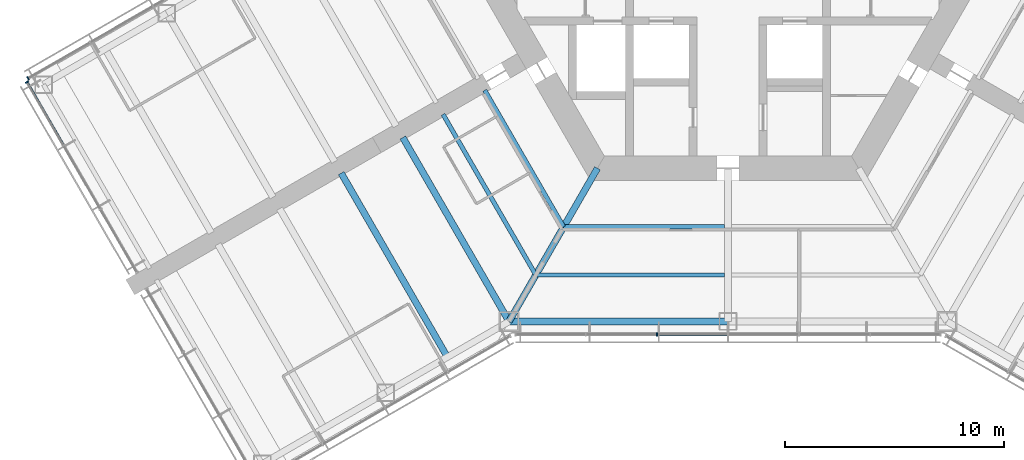
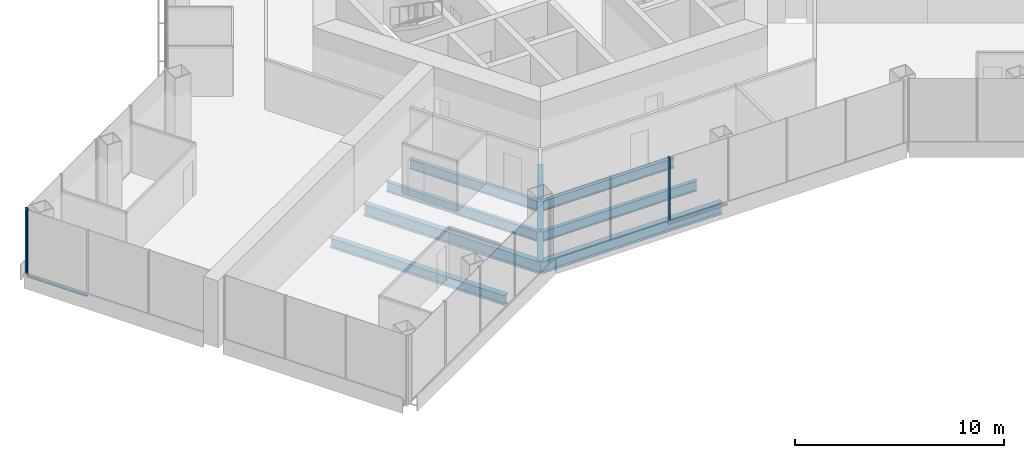
# One storey, part 3 of 18: 8 beams, 5 members, 3 elements without a shape of their own.
"""IFC4 building model written with IfcOpenShell, lengths in metres."""

from ifc_helpers import new_model, si_unit, direction, frame, origin, origin_2d, place, context, subcontext, project, spatial, rectangle, i_section, extrude, material, material_profile, profile_set, type_object, element, aggregate, save


model = new_model("IFC4")

# Units and contexts
model_context = context("Model", 3, precision=1e-05, world=origin(), true_north=direction((0.0, 1.0)))
body_context = subcontext(model_context, "Body", "Model", "MODEL_VIEW")
ifc_project = project(units=[si_unit("LENGTHUNIT", "METRE"), si_unit("AREAUNIT", "SQUARE_METRE"), si_unit("VOLUMEUNIT", "CUBIC_METRE"), si_unit("PLANEANGLEUNIT", "RADIAN"), si_unit("MASSUNIT", "GRAM", prefix="KILO")], contexts=[model_context])

# Site, building, storey
site_placement = place(None, origin())
site = spatial("IfcSite", under=ifc_project, at=site_placement, CompositionType="ELEMENT")
building_placement = place(site_placement, origin())
building = spatial("IfcBuilding", under=site, at=building_placement, Name="Kasaneha Research Tower", CompositionType="ELEMENT")
storey_placement = place(building_placement, frame((0.0, 0.0, 69.0)))
storey = spatial("IfcBuildingStorey", under=building, at=storey_placement, Name="L17", CompositionType="ELEMENT", Elevation=69.0)

# Beams
ifc_material_1 = material(Name="Steel SN490B", Category="steel")
ifc_material_profile_1 = material_profile(ifc_material_1, i_section(OverallWidth=0.199951171875, OverallDepth=0.60009765625, WebThickness=0.010986328125, FlangeThickness=0.01708984375, FilletRadius=0.012939453125, at=origin_2d()), Name="H-600x200x11x17")
ifc_profile_set_1 = profile_set([ifc_material_profile_1], Name="Steel SN490B")
beam_type_1 = type_object("IfcBeamType", Name="B1-3 secondary beam H-600x200x11x17", PredefinedType="JOIST", material=ifc_profile_set_1)
beam_1_placement = place(storey_placement, frame((-7.505615234375, -13.0, -0.449951171875), z_axis=(-0.499998147991, 0.86602647304, 0.0), x_axis=(-0.86602647304, -0.499998147991, 0.0)))
element("IfcBeam", 1, at=beam_1_placement, inside=storey, type_object=beam_type_1, Name="Secondary beam RS210R1 L17", PredefinedType="JOIST", context=body_context, shape_type="SweptSolid", body=[
    extrude(i_section(OverallWidth=0.199951171875, OverallDepth=0.60009765625, WebThickness=0.010986328125, FlangeThickness=0.01708984375, FilletRadius=0.012939453125, at=origin_2d()), origin(), (0.0, 0.0, 1.0), 7.20556640625),
])
beam_2_placement = place(storey_placement, frame((-8.775634765625, -15.199951171875, -0.449951171875), z_axis=(-0.500020829043, 0.866013377797, 0.0), x_axis=(-0.866013377797, -0.500020829043, 0.0)))
element("IfcBeam", 2, at=beam_2_placement, inside=storey, type_object=beam_type_1, Name="Secondary beam RS210R2 L17", PredefinedType="JOIST", context=body_context, shape_type="SweptSolid", body=[
    extrude(i_section(OverallWidth=0.199951171875, OverallDepth=0.60009765625, WebThickness=0.010986328125, FlangeThickness=0.01708984375, FilletRadius=0.012939453125, at=origin_2d()), origin(), (0.0, 0.0, 1.0), 8.475830078125),
])
beam_3_placement = place(storey_placement, frame((-7.505615234375, -13.0, -0.449951171875), z_axis=(1.0, 0.0, 0.0), x_axis=(0.0, 1.0, 0.0)))
element("IfcBeam", 3, at=beam_3_placement, inside=storey, type_object=beam_type_1, Name="Secondary beam RS270L1 L17", PredefinedType="JOIST", context=body_context, shape_type="SweptSolid", body=[
    extrude(i_section(OverallWidth=0.199951171875, OverallDepth=0.60009765625, WebThickness=0.010986328125, FlangeThickness=0.01708984375, FilletRadius=0.012939453125, at=origin_2d()), origin(), (0.0, 0.0, 1.0), 7.355712890625),
])
beam_4_placement = place(storey_placement, frame((-8.775634765625, -15.199951171875, -0.449951171875), z_axis=(1.0, 0.0, 0.0), x_axis=(0.0, 1.0, 0.0)))
element("IfcBeam", 4, at=beam_4_placement, inside=storey, type_object=beam_type_1, Name="Secondary beam RS270L2 L17", PredefinedType="JOIST", context=body_context, shape_type="SweptSolid", body=[
    extrude(i_section(OverallWidth=0.199951171875, OverallDepth=0.60009765625, WebThickness=0.010986328125, FlangeThickness=0.01708984375, FilletRadius=0.012939453125, at=origin_2d()), origin(), (0.0, 0.0, 1.0), 8.625732421875),
])
ifc_material_2 = material(Name="Steel SN490B", Category="steel")
ifc_material_profile_2 = material_profile(ifc_material_2, i_section(OverallWidth=0.300048828125, OverallDepth=0.58203125, WebThickness=0.011962890625, FlangeThickness=0.01708984375, FilletRadius=0.012939453125, at=origin_2d()), Name="H-582x300x12x17")
ifc_profile_set_2 = profile_set([ifc_material_profile_2], Name="Steel SN490B")
beam_type_2 = type_object("IfcBeamType", Name="B2-3 secondary beam H-582x300x12x17", PredefinedType="JOIST", material=ifc_profile_set_2)
beam_5_placement = place(storey_placement, frame((-12.814697265625, -18.945556640625, -0.44091796875), z_axis=(-0.499991164321, 0.866030505006, 0.0), x_axis=(-0.866030505006, -0.499991164321, 0.0)))
element("IfcBeam", 5, at=beam_5_placement, inside=storey, type_object=beam_type_2, Name="Secondary beam WBBN1 L17", PredefinedType="JOIST", context=body_context, shape_type="SweptSolid", body=[
    extrude(i_section(OverallWidth=0.300048828125, OverallDepth=0.58203125, WebThickness=0.011962890625, FlangeThickness=0.01708984375, FilletRadius=0.012939453125, at=origin_2d()), origin(), (0.0, 0.0, 1.0), 9.699951171875),
])

# Curtain wall, member
ifc_material_3 = material(Name="Glass and aluminium", Category="aluminium")
curtain_wall_type = type_object("IfcCurtainWallType", Name="Low-rise office curtain wall", PredefinedType="USERDEFINED", material=ifc_material_3)
curtain_wall_1_placement = place(storey_placement, origin())
curtain_wall_1 = element("IfcCurtainWall", 6, at=curtain_wall_1_placement, inside=storey, type_object=curtain_wall_type, Name="CW-O1 L17 run 02a", ObjectType="UNITISED CURTAIN WALL", PredefinedType="USERDEFINED")
ifc_material_4 = material(Name="Aluminium 6063-T6", Category="aluminium")
ifc_material_profile_3 = material_profile(ifc_material_4, rectangle(XDim=0.06005859375, YDim=0.159912109375, at=origin_2d()), Name="CW-O1 mullion 60x160")
ifc_profile_set_3 = profile_set([ifc_material_profile_3], Name="Aluminium 6063-T6")
member_type_1 = type_object("IfcMemberType", Name="CW-O1 mullion", PredefinedType="MULLION", material=ifc_profile_set_3)
member_1_placement = place(storey_placement, frame((-3.246337890625, -17.92041015625, 0.0), z_axis=(0.0, 0.0, 1.0), x_axis=(1.0, 0.0, 0.0)))
member_1 = element("IfcMember", 7, at=member_1_placement, type_object=member_type_1, Name="CW-O1 mullion 3", PredefinedType="MULLION", context=body_context, shape_type="SweptSolid", body=[
    extrude(rectangle(XDim=0.06005859375, YDim=0.159912109375, at=origin_2d()), origin(), (0.0, 0.0, 1.0), 3.89990234375),
])

curtain_wall_2_placement = place(storey_placement, origin())
curtain_wall_2 = element("IfcCurtainWall", 8, at=curtain_wall_2_placement, inside=storey, type_object=curtain_wall_type, Name="CW-O1 L17 run 13a", ObjectType="UNITISED CURTAIN WALL", PredefinedType="USERDEFINED")
member_2_placement = place(storey_placement, frame((-31.96533203125, -6.21533203125, 0.0), z_axis=(0.0, 0.0, 1.0), x_axis=(-0.866025411464, -0.499999986699, 0.0)))
member_2 = element("IfcMember", 9, at=member_2_placement, type_object=member_type_1, Name="CW-O1 mullion 5", PredefinedType="MULLION", context=body_context, shape_type="SweptSolid", body=[
    extrude(rectangle(XDim=0.06005859375, YDim=0.159912109375, at=origin_2d()), origin(), (0.0, 0.0, 1.0), 3.89990234375),
])
aggregate(curtain_wall_2, [member_2])

curtain_wall_3_placement = place(storey_placement, origin())
curtain_wall_3 = element("IfcCurtainWall", 10, at=curtain_wall_3_placement, inside=storey, type_object=curtain_wall_type, Name="CW-O1 L17 run 14a", ObjectType="UNITISED CURTAIN WALL", PredefinedType="USERDEFINED")
member_3_placement = place(storey_placement, frame((-32.012939453125, -6.39306640625, 0.0), z_axis=(0.0, 0.0, 1.0), x_axis=(0.500000011442, -0.866025397178, 0.0)))
member_3 = element("IfcMember", 11, at=member_3_placement, type_object=member_type_1, Name="CW-O1 mullion 1", PredefinedType="MULLION", context=body_context, shape_type="SweptSolid", body=[
    extrude(rectangle(XDim=0.06005859375, YDim=0.159912109375, at=origin_2d()), origin(), (0.0, 0.0, 1.0), 3.89990234375),
])

# Member
ifc_material_5 = material(Name="Aluminium 6063-T6", Category="aluminium")
ifc_material_profile_4 = material_profile(ifc_material_5, rectangle(XDim=0.1201171875, YDim=0.06005859375, at=origin_2d()), Name="CW-O1 transom 120x60")
ifc_profile_set_4 = profile_set([ifc_material_profile_4], Name="Aluminium 6063-T6")
member_type_2 = type_object("IfcMemberType", Name="CW-O1 transom", PredefinedType="USERDEFINED", material=ifc_profile_set_4)
member_4_placement = place(storey_placement, frame((-3.21630859375, -17.92041015625, 0.030029296875), z_axis=(1.0, 0.0, 0.0), x_axis=(0.0, 1.0, 0.0)))
member_4 = element("IfcMember", 12, at=member_4_placement, type_object=member_type_2, Name="CW-O1 transom 3", ObjectType="TRANSOM", PredefinedType="USERDEFINED", context=body_context, shape_type="SweptSolid", body=[
    extrude(rectangle(XDim=0.1201171875, YDim=0.06005859375, at=origin_2d()), origin(), (0.0, 0.0, 1.0), 3.186279296875),
])

aggregate(curtain_wall_1, [member_1, member_4])

member_5_placement = place(storey_placement, frame((-31.998046875, -6.4189453125, 0.030029296875), z_axis=(0.500025583411, -0.866010632691, 0.0), x_axis=(0.866010632691, 0.500025583411, 0.0)))
member_5 = element("IfcMember", 13, at=member_5_placement, type_object=member_type_2, Name="CW-O1 transom 1", ObjectType="TRANSOM", PredefinedType="USERDEFINED", context=body_context, shape_type="SweptSolid", body=[
    extrude(rectangle(XDim=0.1201171875, YDim=0.06005859375, at=origin_2d()), origin(), (0.0, 0.0, 1.0), 3.276611328125),
])

aggregate(curtain_wall_3, [member_3, member_5])

# Beams
ifc_material_6 = material(Name="Steel SN490B", Category="steel")
ifc_material_profile_5 = material_profile(ifc_material_6, i_section(OverallWidth=0.300048828125, OverallDepth=0.699951171875, WebThickness=0.012939453125, FlangeThickness=0.02392578125, FilletRadius=0.01806640625, at=origin_2d()), Name="H-700x300x13x24")
ifc_profile_set_5 = profile_set([ifc_material_profile_5], Name="Steel SN490B")
beam_type_3 = type_object("IfcBeamType", Name="G1-3 radial girder H-700x300x13x24", PredefinedType="BEAM", material=ifc_profile_set_5)
beam_6_placement = place(storey_placement, frame((-5.961181640625, -10.324951171875, -0.5), z_axis=(-0.49999105496, -0.866030568144, 0.0), x_axis=(0.866030568144, -0.49999105496, 0.0)))
element("IfcBeam", 14, at=beam_6_placement, inside=storey, type_object=beam_type_3, Name="Radial girder RV240 L17", PredefinedType="BEAM", context=body_context, shape_type="SweptSolid", body=[
    extrude(i_section(OverallWidth=0.300048828125, OverallDepth=0.699951171875, WebThickness=0.012939453125, FlangeThickness=0.02392578125, FilletRadius=0.01806640625, at=origin_2d()), origin(), (0.0, 0.0, 1.0), 8.077880859375),
])
ifc_material_7 = material(Name="Steel SN490B", Category="steel")
ifc_material_profile_6 = material_profile(ifc_material_7, i_section(OverallWidth=0.300048828125, OverallDepth=0.69189453125, WebThickness=0.012939453125, FlangeThickness=0.02001953125, FilletRadius=0.01806640625, at=origin_2d()), Name="H-692x300x13x20")
ifc_profile_set_6 = profile_set([ifc_material_profile_6], Name="Steel SN490B")
beam_type_4 = type_object("IfcBeamType", Name="G3-3 plate edge girder H-692x300x13x20", PredefinedType="BEAM", material=ifc_profile_set_6)
beam_7_placement = place(storey_placement, frame((-10.0, -17.320556640625, -0.49609375), z_axis=(-0.500010041276, 0.866019606374, 0.0), x_axis=(-0.866019606374, -0.500010041276, 0.0)))
element("IfcBeam", 15, at=beam_7_placement, inside=storey, type_object=beam_type_4, Name="Plate edge girder PEBN L17", PredefinedType="BEAM", context=body_context, shape_type="SweptSolid", body=[
    extrude(i_section(OverallWidth=0.300048828125, OverallDepth=0.69189453125, WebThickness=0.012939453125, FlangeThickness=0.02001953125, FilletRadius=0.01806640625, at=origin_2d()), origin(), (0.0, 0.0, 1.0), 9.699951171875),
])
ifc_material_8 = material(Name="Steel SN490B", Category="steel")
ifc_material_profile_7 = material_profile(ifc_material_8, i_section(OverallWidth=0.300048828125, OverallDepth=0.69189453125, WebThickness=0.012939453125, FlangeThickness=0.02001953125, FilletRadius=0.01806640625, at=origin_2d()), Name="H-692x300x13x20")
ifc_profile_set_7 = profile_set([ifc_material_profile_7], Name="Steel SN490B")
beam_type_5 = type_object("IfcBeamType", Name="SB1-3 spandrel beam H-692x300x13x20", PredefinedType="SPANDREL", material=ifc_profile_set_7)
beam_8_placement = place(storey_placement, frame((-10.0, -17.320556640625, -0.49609375), z_axis=(1.0, 0.0, 0.0), x_axis=(0.0, 1.0, 0.0)))
element("IfcBeam", 16, at=beam_8_placement, inside=storey, type_object=beam_type_5, Name="Spandrel beam SR270L L17", PredefinedType="SPANDREL", context=body_context, shape_type="SweptSolid", body=[
    extrude(i_section(OverallWidth=0.300048828125, OverallDepth=0.69189453125, WebThickness=0.012939453125, FlangeThickness=0.02001953125, FilletRadius=0.01806640625, at=origin_2d()), origin(), (0.0, 0.0, 1.0), 10.0),
])

save(model, "model.ifc")
